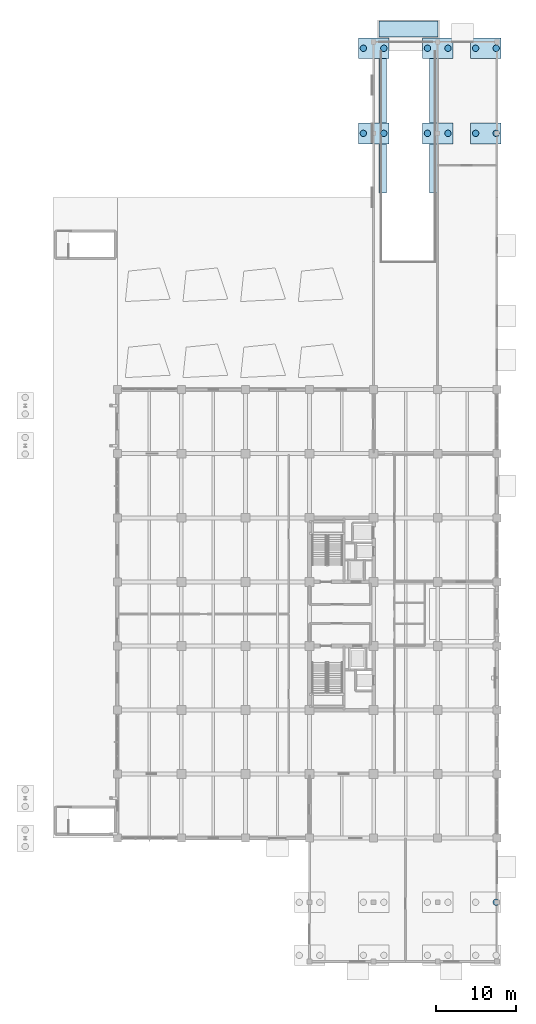
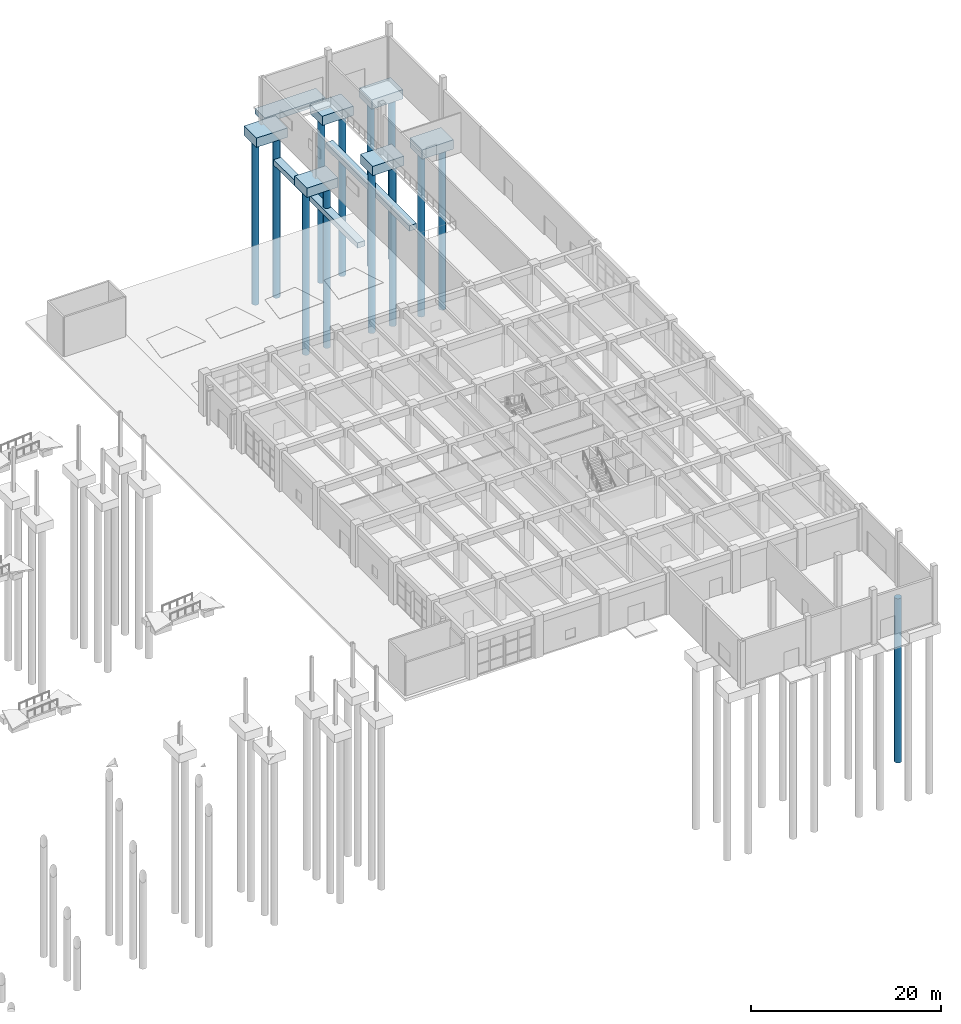
# One storey, part 4 of 90: 13 piles, 9 footings.
"""IFC4 building model written with IfcOpenShell, lengths in metres."""

import ifcopenshell
import ifcopenshell.guid

model = None  # the IFC model being written
_history = None  # IfcOwnerHistory: only IFC2X3 demands one
_inside = {}  # id of a spatial element -> (the spatial element, [elements in it])
_under = {}  # id of a project, library or spatial element -> (it, [spatial elements below it])
_declared = {}  # id of a project -> (the project, [libraries it declares])
_typed = {}  # id of a type object -> (the type object, [elements of that type])
_made_of = {}  # id of a material, layer set ... -> (it, [elements and type objects made of it])


def new_model(schema):
    """Start an empty IFC model of exactly this schema.

    Asked for "IFC4X3", IfcOpenShell would pick the latest addendum, in which some entities
    have other attributes; the version numbers below select the first issue.
    IFC2X3 requires an IfcOwnerHistory on every rooted entity: one is made here for all.
    """
    global model, _history
    if schema == "IFC4X3":
        model = ifcopenshell.file(schema_version=(4, 3, 0, 0))
    else:
        model = ifcopenshell.file(schema=schema)
    _inside.clear()
    _under.clear()
    _declared.clear()
    _typed.clear()
    _made_of.clear()
    _history = None
    if model.schema == "IFC2X3":
        org = make("IfcOrganization", Name="unknown")
        user = make(
            "IfcPersonAndOrganization",
            ThePerson=make("IfcPerson", FamilyName="unknown"),
            TheOrganization=org,
        )
        app = make(
            "IfcApplication",
            ApplicationDeveloper=org,
            Version="unknown",
            ApplicationFullName="unknown",
            ApplicationIdentifier="unknown",
        )
        _history = make(
            "IfcOwnerHistory",
            OwningUser=user,
            OwningApplication=app,
            ChangeAction="ADDED",
            CreationDate=0,
        )
    return model


def make(cls, **values):
    """One entity of the class cls with the attributes given. An attribute that is None is left unset."""
    return model.create_entity(
        cls, **{name: value for name, value in values.items() if value is not None}
    )


def rooted(cls, **values):
    """An entity with a GlobalId (a new one), such as an element, a storey or a relation."""
    return make(cls, GlobalId=ifcopenshell.guid.new(), OwnerHistory=_history, **values)


def si_unit(unit_type, name, prefix=None):
    """IfcSIUnit, for example si_unit("LENGTHUNIT", "METRE", prefix="MILLI")."""
    return make("IfcSIUnit", UnitType=unit_type, Prefix=prefix, Name=name)


def assignment(units):
    """IfcUnitAssignment: the units of a project."""
    return None if units is None else make("IfcUnitAssignment", Units=units)


def point(xyz):
    """IfcCartesianPoint."""
    return None if xyz is None else make("IfcCartesianPoint", Coordinates=xyz)


def direction(xyz):
    """IfcDirection."""
    return None if xyz is None else make("IfcDirection", DirectionRatios=xyz)


def frame(location, z_axis=None, x_axis=None):
    """IfcAxis2Placement3D, a coordinate frame: its origin and axes. An axis left out is left unset."""
    return make(
        "IfcAxis2Placement3D",
        Location=point(location),
        Axis=direction(z_axis),
        RefDirection=direction(x_axis),
    )


def frame_2d(location, x_axis=None):
    """IfcAxis2Placement2D, a coordinate frame in the plane: its origin and x axis."""
    return make(
        "IfcAxis2Placement2D", Location=point(location), RefDirection=direction(x_axis)
    )


def origin():
    """The frame at (0, 0, 0) with its axes left unset."""
    return frame((0.0, 0.0, 0.0))


def origin_2d():
    """The frame at (0, 0) in the plane with its x axis left unset."""
    return frame_2d((0.0, 0.0))


def place(relative_to, where):
    """IfcLocalPlacement: puts the frame where relative to a parent placement (None: the world)."""
    return make(
        "IfcLocalPlacement", PlacementRelTo=relative_to, RelativePlacement=where
    )


def context(
    kind, dimensions, precision=None, world=None, true_north=None, identifier=None
):
    """IfcGeometricRepresentationContext, for example the 3D "Model" context."""
    return make(
        "IfcGeometricRepresentationContext",
        ContextIdentifier=identifier,
        ContextType=kind,
        CoordinateSpaceDimension=dimensions,
        Precision=precision,
        WorldCoordinateSystem=world,
        TrueNorth=true_north,
    )


def subcontext(parent, identifier, kind, view, scale=None):
    """IfcGeometricRepresentationSubContext, for example "Body" below "Model"."""
    return make(
        "IfcGeometricRepresentationSubContext",
        ContextIdentifier=identifier,
        ContextType=kind,
        ParentContext=parent,
        TargetScale=scale,
        TargetView=view,
    )


def project(units=None, contexts=None):
    """IfcProject with its units and contexts."""
    return rooted(
        "IfcProject",
        Name="project",
        RepresentationContexts=contexts,
        UnitsInContext=assignment(units),
    )


def spatial(cls, under=None, at=None, **own):
    """A site, building, storey or space (cls), placed at a placement, below another one or the project."""
    s = rooted(cls, ObjectPlacement=at, **own)
    if under is not None:
        _under.setdefault(under.id(), (under, []))[1].append(s)
    return s


def profile(cls, at=None, kind="AREA", **sizes):
    """A parametric profile (cls). Its sizes go by their IFC names, for example OverallWidth=200.0."""
    return make(cls, ProfileType=kind, Position=at, **sizes)


def rectangle(**sizes):
    """IfcRectangleProfileDef."""
    return profile("IfcRectangleProfileDef", **sizes)


def circle(**sizes):
    """IfcCircleProfileDef."""
    return profile("IfcCircleProfileDef", **sizes)


def extrude(swept, where, along, depth):
    """IfcExtrudedAreaSolid: the profile swept, set in the frame where, extruded along a direction by depth."""
    return make(
        "IfcExtrudedAreaSolid",
        SweptArea=swept,
        Position=where,
        ExtrudedDirection=direction(along),
        Depth=depth,
    )


def shape(context_of_items, identifier, shape_type, items):
    """IfcShapeRepresentation: the items that make up one representation, for example the "Body"."""
    return make(
        "IfcShapeRepresentation",
        ContextOfItems=context_of_items,
        RepresentationIdentifier=identifier,
        RepresentationType=shape_type,
        Items=items,
    )


def material(Name=None, Category=None):
    """IfcMaterial."""
    return make("IfcMaterial", Name=Name, Category=Category)


def material_profile(
    of_material, cross_section, Name=None, Category=None, Priority=None
):
    """IfcMaterialProfile: a cross section and its material."""
    return make(
        "IfcMaterialProfile",
        Name=Name,
        Material=of_material,
        Profile=cross_section,
        Priority=Priority,
        Category=Category,
    )


def profile_set(profiles, Name=None, composite=None):
    """IfcMaterialProfileSet."""
    return make(
        "IfcMaterialProfileSet",
        Name=Name,
        MaterialProfiles=profiles,
        CompositeProfile=composite,
    )


def made_of(thing, what):
    """Note that an element or type object is made of a material, layer set ...; save() writes the relation."""
    if what is not None:
        _made_of.setdefault(what.id(), (what, []))[1].append(thing)
    return thing


def type_object(cls, material=None, **own):
    """A type object (cls), such as IfcWallType, which elements share."""
    return made_of(rooted(cls, **own), material)


def element(
    cls,
    number,
    at=None,
    inside=None,
    cuts=None,
    type_object=None,
    material=None,
    context=None,
    identifier="Body",
    shape_type=None,
    held_by="IfcProductDefinitionShape",
    body=None,
    shapes=None,
    **own,
):
    """One element of the class cls, such as IfcWall. Its Tag is "e" and its number.

    at: its placement. inside: the storey or other place that contains it. cuts: it is an
    opening in that element (IfcRelVoidsElement). A single representation is given by context,
    identifier, shape_type and body (its items); several are given by shapes. held_by: the class
    of the entity that holds the representations. save() writes the other relations.
    """
    e = rooted(cls, Tag="e%d" % number, ObjectPlacement=at, **own)
    if body is not None:
        shapes = [shape(context, identifier, shape_type, body)]
    if shapes is not None:
        e.Representation = make(held_by, Representations=shapes)
    if inside is not None:
        _inside.setdefault(inside.id(), (inside, []))[1].append(e)
    if cuts is not None:
        rooted(
            "IfcRelVoidsElement", RelatingBuildingElement=cuts, RelatedOpeningElement=e
        )
    if type_object is not None:
        _typed.setdefault(type_object.id(), (type_object, []))[1].append(e)
    return made_of(e, material)


def aggregate(whole, parts):
    """IfcRelAggregates: a whole, such as a stair, and the parts it consists of."""
    return rooted("IfcRelAggregates", RelatingObject=whole, RelatedObjects=parts)


def save(model, path):
    """Write the relations noted so far, then the file.

    IfcRelAggregates (storeys below a building ...), IfcRelContainedInSpatialStructure (elements
    in a storey), IfcRelDefinesByType, IfcRelAssociatesMaterial and IfcRelDeclares: one each for
    every whole, place, type object, material and project.
    """
    for whole, parts in _under.values():
        aggregate(whole, parts)
    for where, things in _inside.values():
        rooted(
            "IfcRelContainedInSpatialStructure",
            RelatedElements=things,
            RelatingStructure=where,
        )
    for kind, things in _typed.values():
        rooted("IfcRelDefinesByType", RelatedObjects=things, RelatingType=kind)
    for what, things in _made_of.values():
        rooted("IfcRelAssociatesMaterial", RelatedObjects=things, RelatingMaterial=what)
    for by, libraries in _declared.values():
        rooted("IfcRelDeclares", RelatingContext=by, RelatedDefinitions=libraries)
    model.write(path)


model = new_model("IFC4")

# Units and contexts
model_context = context("Model", 3, precision=1e-05, world=origin(), true_north=direction((0.0, 1.0)))
body_context = subcontext(model_context, "Body", "Model", "MODEL_VIEW")
ifc_project = project(units=[si_unit("LENGTHUNIT", "METRE"), si_unit("AREAUNIT", "SQUARE_METRE"), si_unit("VOLUMEUNIT", "CUBIC_METRE"), si_unit("PLANEANGLEUNIT", "RADIAN"), si_unit("MASSUNIT", "GRAM", prefix="KILO")], contexts=[model_context])

# Site, building, storey
site_placement = place(None, origin())
site = spatial("IfcSite", under=ifc_project, at=site_placement, CompositionType="ELEMENT")
building_placement = place(site_placement, origin())
building = spatial("IfcBuilding", under=site, at=building_placement, Name="Canggui Botanical Conservatory", CompositionType="ELEMENT")
storey_placement = place(building_placement, origin())
storey = spatial("IfcBuildingStorey", under=building, at=storey_placement, Name="L01", CompositionType="ELEMENT", Elevation=0.0)

# Footings
ifc_material = material(Name="Concrete C35", Category="concrete")
footing_type_1 = type_object("IfcFootingType", Name="CAP-CT04", PredefinedType="PILE_CAP", material=ifc_material)
for number, where, z_axis, x_axis, name in (
    (1, (162.0, 114.0, -1.47998046875), (0.0, 0.0, 1.0), (1.0, 0.0, 0.0), "Multi-Pile Cap CT-101"),
    (2, (170.0, 114.0, -1.47998046875), (0.0, 0.0, 1.0), (1.0, 0.0, 0.0), "Multi-Pile Cap CT-102"),
    (3, (176.02001953125, 114.0, -1.47998046875), (0.0, 0.0, 1.0), (1.0, 0.0, 0.0), "Multi-Pile Cap CT-103"),
    (4, (162.0, 124.6201171875, -1.47998046875), (0.0, 0.0, 1.0), (1.0, 0.0, 0.0), "Multi-Pile Cap CT-104"),
    (5, (170.0, 124.6201171875, -1.47998046875), (0.0, 0.0, 1.0), (1.0, 0.0, 0.0), "Multi-Pile Cap CT-105"),
    (6, (176.02001953125, 124.6201171875, -1.47998046875), (0.0, 0.0, 1.0), (1.0, 0.0, 0.0), "Multi-Pile Cap CT-106"),
):
    element("IfcFooting", number, at=place(storey_placement, frame(where, z_axis=z_axis, x_axis=x_axis)), inside=storey, type_object=footing_type_1, Name=name, PredefinedType="PILE_CAP", context=body_context, shape_type="SweptSolid", body=[
        extrude(rectangle(XDim=3.800048828125, YDim=2.60009765625, at=origin_2d()), origin(), (0.0, 0.0, 1.0), 1.199951171875),
    ])

# Piles
ifc_material_profile = material_profile(ifc_material, circle(Radius=0.39990234375, at=origin_2d()), Name="PILE D800")
ifc_profile_set = profile_set([ifc_material_profile], Name="Concrete C35")
pile_type = type_object("IfcPileType", Name="PILE-ZH2", PredefinedType="BORED", material=ifc_profile_set)
for number, where, z_axis, x_axis, name in (
    (7, (177.300048828125, 18.0, -1.3798828125), (0.0, 0.0, -1.0), (1.0, 0.0, 0.0), "Bored Pile ZH-CAP-370"),
    (8, (160.719970703125, 114.0, -1.3798828125), (0.0, 0.0, -1.0), (1.0, 0.0, 0.0), "Bored Pile ZH-CAP-371"),
    (9, (163.280029296875, 114.0, -1.3798828125), (0.0, 0.0, -1.0), (1.0, 0.0, 0.0), "Bored Pile ZH-CAP-372"),
    (10, (168.719970703125, 114.0, -1.3798828125), (0.0, 0.0, -1.0), (1.0, 0.0, 0.0), "Bored Pile ZH-CAP-373"),
    (11, (171.280029296875, 114.0, -1.3798828125), (0.0, 0.0, -1.0), (1.0, 0.0, 0.0), "Bored Pile ZH-CAP-374"),
    (12, (174.739990234375, 114.0, -1.3798828125), (0.0, 0.0, -1.0), (1.0, 0.0, 0.0), "Bored Pile ZH-CAP-375"),
    (13, (177.300048828125, 114.0, -1.3798828125), (0.0, 0.0, -1.0), (1.0, 0.0, 0.0), "Bored Pile ZH-CAP-376"),
    (14, (160.719970703125, 124.6201171875, -1.3798828125), (0.0, 0.0, -1.0), (1.0, 0.0, 0.0), "Bored Pile ZH-CAP-377"),
    (15, (163.280029296875, 124.6201171875, -1.3798828125), (0.0, 0.0, -1.0), (1.0, 0.0, 0.0), "Bored Pile ZH-CAP-378"),
    (16, (168.719970703125, 124.6201171875, -1.3798828125), (0.0, 0.0, -1.0), (1.0, 0.0, 0.0), "Bored Pile ZH-CAP-379"),
    (17, (171.280029296875, 124.6201171875, -1.3798828125), (0.0, 0.0, -1.0), (1.0, 0.0, 0.0), "Bored Pile ZH-CAP-380"),
    (18, (174.739990234375, 124.6201171875, -1.3798828125), (0.0, 0.0, -1.0), (1.0, 0.0, 0.0), "Bored Pile ZH-CAP-381"),
    (19, (177.300048828125, 124.6201171875, -1.3798828125), (0.0, 0.0, -1.0), (1.0, 0.0, 0.0), "Bored Pile ZH-CAP-382"),
):
    element("IfcPile", number, at=place(storey_placement, frame(where, z_axis=z_axis, x_axis=x_axis)), inside=storey, type_object=pile_type, Name=name, PredefinedType="BORED", context=body_context, shape_type="SweptSolid", body=[
        extrude(circle(Radius=0.39990234375, at=origin_2d()), origin(), (0.0, 0.0, 1.0), 21.1201171875),
    ])

# Footings
footing_type_2 = type_object("IfcFootingType", Name="SF-01", PredefinedType="STRIP_FOOTING", material=ifc_material)
footing_placement = place(storey_placement, frame((166.35009765625, 127.02001953125, -0.89990234375), z_axis=(0.0, 0.0, 1.0), x_axis=(1.0, 0.0, 0.0)))
element("IfcFooting", 20, at=footing_placement, inside=storey, type_object=footing_type_2, Name="Vehicle Ramp Apron Frost Strip Footing", PredefinedType="STRIP_FOOTING", context=body_context, shape_type="SweptSolid", body=[
    extrude(rectangle(XDim=7.39990234375, YDim=2.0400390625, at=origin_2d()), origin(), (0.0, 0.0, 1.0), 0.699951171875),
])
for number, where, z_axis, x_axis, name in (
    (21, (163.14990234375, 115.375, -5.2001953125), (0.0, 0.0, 1.0), (0.0, 1.0, 0.0), "Vehicle Ramp VR-01 Strip Footing X163.15"),
    (22, (169.449951171875, 115.375, -5.2001953125), (0.0, 0.0, 1.0), (0.0, 1.0, 0.0), "Vehicle Ramp VR-01 Strip Footing X169.45"),
):
    element("IfcFooting", number, at=place(storey_placement, frame(where, z_axis=z_axis, x_axis=x_axis)), inside=storey, type_object=footing_type_2, Name=name, PredefinedType="STRIP_FOOTING", context=body_context, shape_type="SweptSolid", body=[
        extrude(rectangle(XDim=17.64990234375, YDim=0.89990234375, at=origin_2d()), origin(), (0.0, 0.0, 1.0), 0.699951171875),
    ])

save(model, "model.ifc")
